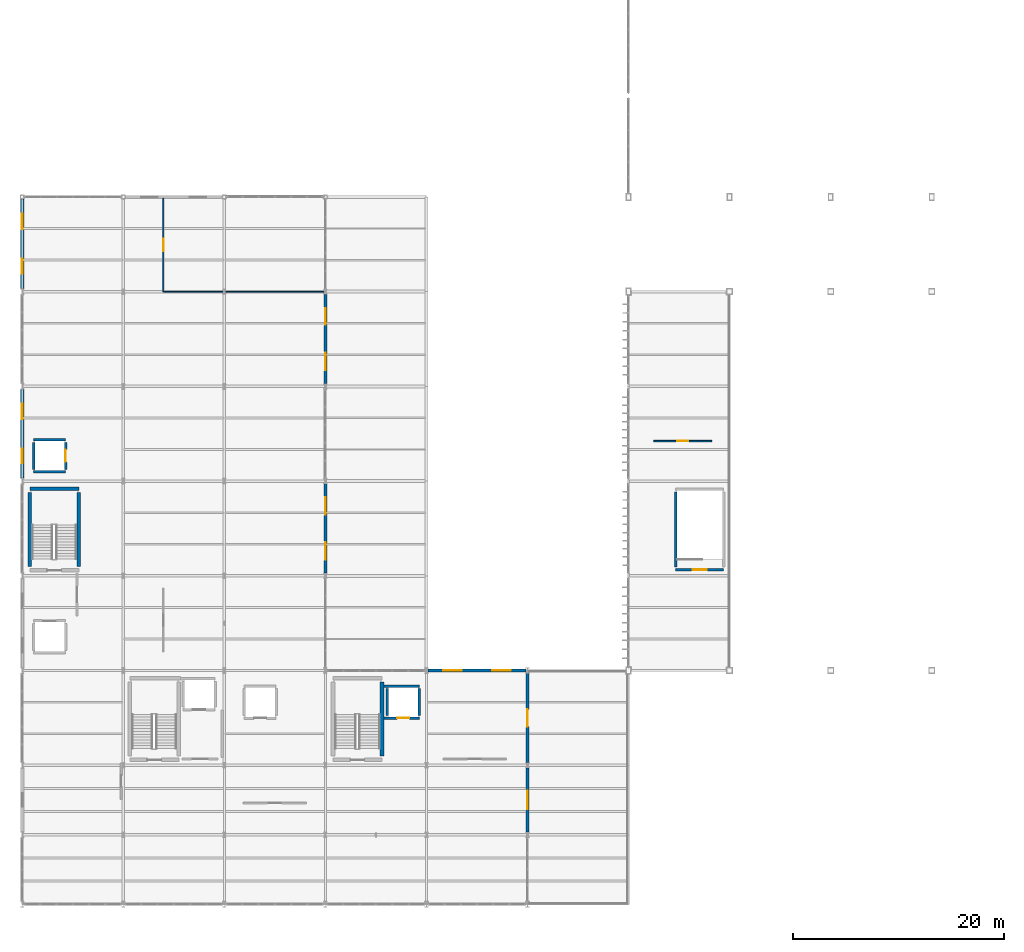
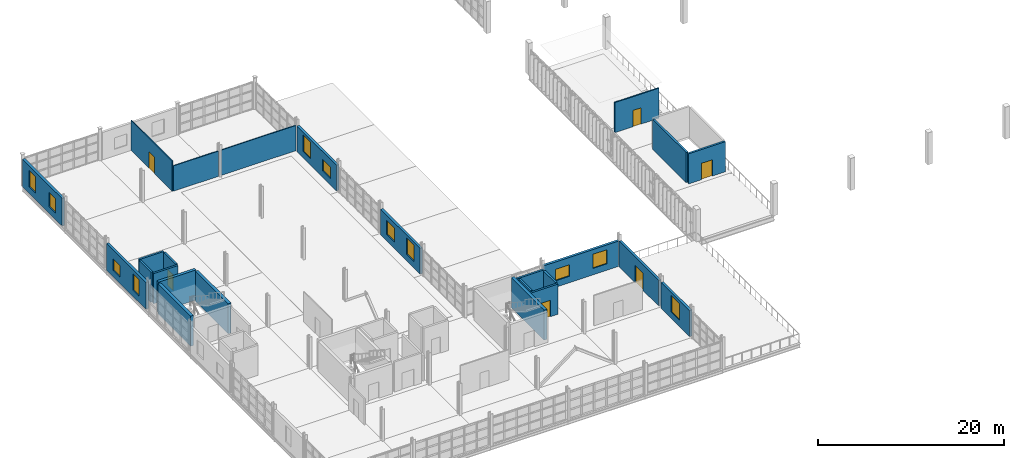
# One storey, part 69 of 82: 25 walls, 11 windows, 6 doors, 17 openings.
"""IFC4 building model written with IfcOpenShell, lengths in metres."""

from ifc_helpers import new_model, si_unit, direction, frame, frame_2d, origin, place, context, subcontext, project, spatial, rectangle, extrude, material, layer, layer_set, type_object, element, fill, save


model = new_model("IFC4")

# Units and contexts
model_context = context("Model", 3, precision=1e-05, world=origin(), true_north=direction((0.0, 1.0)))
body_context = subcontext(model_context, "Body", "Model", "MODEL_VIEW")
ifc_project = project(units=[si_unit("LENGTHUNIT", "METRE"), si_unit("AREAUNIT", "SQUARE_METRE"), si_unit("VOLUMEUNIT", "CUBIC_METRE"), si_unit("PLANEANGLEUNIT", "RADIAN"), si_unit("MASSUNIT", "GRAM", prefix="KILO")], contexts=[model_context])

# Site, building, storey
site_placement = place(None, origin())
site = spatial("IfcSite", under=ifc_project, at=site_placement, CompositionType="ELEMENT")
building_placement = place(site_placement, origin())
building = spatial("IfcBuilding", under=site, at=building_placement, Name="Zarnetskaya Central Station", CompositionType="ELEMENT")
storey_placement = place(building_placement, frame((0.0, 0.0, 10.199951171875)))
storey = spatial("IfcBuildingStorey", under=building, at=storey_placement, Name="L02", CompositionType="ELEMENT", Elevation=10.199951171875)

# Wall, opening, door
ifc_material_1 = material(Name="Gypsum acoustic partition")
ifc_layer_1 = layer(ifc_material_1, 0.159912109375, Name="Gypsum acoustic partition")
ifc_layer_set_1 = layer_set([ifc_layer_1], Name="Gypsum acoustic partition")
wall_type_1 = type_object("IfcWallType", Name="PART-ACOU-160", PredefinedType="PARTITIONING", material=ifc_layer_set_1)
wall_1_placement = place(storey_placement, frame((65.5, 44.0, 0.0), z_axis=(0.0, 0.0, 1.0), x_axis=(-1.0, 0.0, 0.0)))
wall_1 = element("IfcWall", 1, at=wall_1_placement, inside=storey, type_object=wall_type_1, Name="Interior partition IPRT-L02-0418", PredefinedType="PARTITIONING", context=body_context, shape_type="SweptSolid", body=[
    extrude(rectangle(XDim=5.5, YDim=0.159912109375, at=frame_2d((2.75, 0.0))), origin(), (0.0, 0.0, 1.0), 3.949951171875),
])
opening_1_placement = place(wall_1_placement, frame((2.239990234375, 0.0, 0.0)))
opening_1 = element("IfcOpeningElement", 2, at=opening_1_placement, cuts=wall_1, Name="Opening DR-18", PredefinedType="OPENING", context=body_context, shape_type="SweptSolid", body=[
    extrude(rectangle(XDim=1.02001953125, YDim=2.139892578125, at=frame_2d((0.510009765625, 1.06982421875))), frame((0.0, 0.08984375, 0.0), z_axis=(0.0, -1.0, 0.0), x_axis=(1.0, 0.0, 0.0)), (0.0, 0.0, 1.0), 0.179931640625),
])
ifc_material_2 = material(Name="Anodised aluminium", Category="aluminium")
door_type_1 = type_object("IfcDoorType", Name="DR-INT-21", OperationType="NOTDEFINED", PredefinedType="DOOR", material=ifc_material_2)
door_1_placement = place(opening_1_placement, origin())
door_1 = element("IfcDoor", 3, at=door_1_placement, inside=storey, type_object=door_type_1, Name="Long-Distance Family Waiting Salon door", OperationType="SINGLE_SWING_RIGHT", OverallHeight=2.139892578125, OverallWidth=1.02001953125, PredefinedType="DOOR", context=body_context, shape_type="SweptSolid", body=[
    extrude(rectangle(XDim=1.02001953125, YDim=2.139892578125, at=frame_2d((0.510009765625, 1.06982421875))), frame((0.0, 0.02490234375, 0.0), z_axis=(0.0, -1.0, 0.0), x_axis=(1.0, 0.0, 0.0)), (0.0, 0.0, 1.0), 0.050048828125),
])
fill(opening_1, door_1)

ifc_material_3 = material(Name="Gypsum moisture partition")
ifc_layer_2 = layer(ifc_material_3, 0.114990234375, Name="Gypsum moisture partition")
ifc_layer_set_2 = layer_set([ifc_layer_2], Name="Gypsum moisture partition")
wall_type_2 = type_object("IfcWallType", Name="PART-WC-115", PredefinedType="PARTITIONING", material=ifc_layer_set_2)
wall_2_placement = place(storey_placement, frame((13.39990234375, 58.199951171875, 0.0), z_axis=(0.0, 0.0, 1.0), x_axis=(0.0, 1.0, 0.0)))
wall_2 = element("IfcWall", 4, at=wall_2_placement, inside=storey, type_object=wall_type_2, Name="Interior partition IPRT-L02-0425", PredefinedType="PARTITIONING", context=body_context, shape_type="SweptSolid", body=[
    extrude(rectangle(XDim=8.85009765625, YDim=0.114990234375, at=frame_2d((4.425048828125, 0.0))), origin(), (0.0, 0.0, 1.0), 3.949951171875),
])
opening_2_placement = place(wall_2_placement, frame((3.824951171875, 0.0, 0.0)))
opening_2 = element("IfcOpeningElement", 5, at=opening_2_placement, cuts=wall_2, Name="Opening DR-17", PredefinedType="OPENING", context=body_context, shape_type="SweptSolid", body=[
    extrude(rectangle(XDim=1.199951171875, YDim=2.14990234375, at=frame_2d((0.60009765625, 1.074951171875))), frame((0.0, 0.0673828125, 0.0), z_axis=(0.0, -1.0, 0.0), x_axis=(1.0, 0.0, 0.0)), (0.0, 0.0, 1.0), 0.135009765625),
])
door_type_2 = type_object("IfcDoorType", Name="DR-INT-09", OperationType="NOTDEFINED", PredefinedType="DOOR", material=ifc_material_2)
door_2_placement = place(opening_2_placement, origin())
door_2 = element("IfcDoor", 6, at=door_2_placement, inside=storey, type_object=door_type_2, Name="Staff and Accessible WC Suite L02 door", OperationType="SINGLE_SWING_LEFT", OverallHeight=2.14990234375, OverallWidth=1.199951171875, PredefinedType="DOOR", context=body_context, shape_type="SweptSolid", body=[
    extrude(rectangle(XDim=1.199951171875, YDim=2.14990234375, at=frame_2d((0.60009765625, 1.074951171875))), frame((0.0, 0.02490234375, 0.0), z_axis=(0.0, -1.0, 0.0), x_axis=(1.0, 0.0, 0.0)), (0.0, 0.0, 1.0), 0.050048828125),
])
fill(opening_2, door_2)

# Walls
wall_3_placement = place(storey_placement, frame((19.050048828125, 58.199951171875, 0.0), z_axis=(0.0, 0.0, 1.0), x_axis=(-1.0, 0.0, 0.0)))
element("IfcWall", 7, at=wall_3_placement, inside=storey, type_object=wall_type_2, Name="Interior partition IPRT-L02-0426", PredefinedType="PARTITIONING", context=body_context, shape_type="SweptSolid", body=[
    extrude(rectangle(XDim=5.592529296875, YDim=0.114990234375, at=frame_2d((2.79638671875, 0.0))), origin(), (0.0, 0.0, 1.0), 3.320068359375),
])
wall_4_placement = place(storey_placement, frame((28.64990234375, 58.199951171875, 0.0), z_axis=(0.0, 0.0, 1.0), x_axis=(-1.0, 0.0, 0.0)))
element("IfcWall", 8, at=wall_4_placement, inside=storey, type_object=wall_type_2, Name="Interior partition IPRT-L02-0427", PredefinedType="PARTITIONING", context=body_context, shape_type="SweptSolid", body=[
    extrude(rectangle(XDim=9.2998046875, YDim=0.114990234375, at=frame_2d((4.64990234375, 0.0))), origin(), (0.0, 0.0, 1.0), 3.320068359375),
])
ifc_material_4 = material(Name="Concrete C35/45", Category="concrete")
ifc_layer_3 = layer(ifc_material_4, 0.35009765625, Name="Concrete C35/45", Category="concrete")
ifc_layer_set_3 = layer_set([ifc_layer_3], Name="Concrete C35/45")
wall_type_3 = type_object("IfcWallType", Name="WALL-CORE-350", PredefinedType="SHEAR", material=ifc_layer_set_3)
wall_5_placement = place(storey_placement, frame((0.72509765625, 39.47509765625, 0.0), z_axis=(0.0, 0.0, 1.0), x_axis=(1.0, 0.0, 0.0)))
element("IfcWall", 9, at=wall_5_placement, inside=storey, type_object=wall_type_3, Name="Core shear wall WSTR-L02-0230", PredefinedType="SHEAR", context=body_context, shape_type="SweptSolid", body=[
    extrude(rectangle(XDim=4.64990234375, YDim=0.35009765625, at=frame_2d((2.324951171875, 0.0))), origin(), (0.0, 0.0, 1.0), 3.949951171875),
])
for number, where, z_axis, x_axis, name in (
    (10, (0.72509765625, 32.074951171875, 0.0), (0.0, 0.0, 1.0), (0.0, 1.0, 0.0), "Core shear wall WSTR-L02-0231"),
    (11, (5.375, 39.125, 0.0), (0.0, 0.0, 1.0), (0.0, -1.0, 0.0), "Core shear wall WSTR-L02-0232"),
    (12, (34.175048828125, 21.125, 0.0), (0.0, 0.0, 1.0), (0.0, -1.0, 0.0), "Core shear wall WSTR-L02-0260"),
):
    element("IfcWall", number, at=place(storey_placement, frame(where, z_axis=z_axis, x_axis=x_axis)), inside=storey, type_object=wall_type_3, Name=name, PredefinedType="SHEAR", context=body_context, shape_type="SweptSolid", body=[
        extrude(rectangle(XDim=7.050048828125, YDim=0.35009765625, at=frame_2d((3.52490234375, 0.0))), origin(), (0.0, 0.0, 1.0), 3.949951171875),
    ])

# Wall, openings, windows
ifc_material_5 = material(Name="Precast concrete C40/50", Category="concrete")
ifc_layer_4 = layer(ifc_material_5, 0.300048828125, Name="Precast concrete C40/50", Category="concrete")
ifc_layer_set_4 = layer_set([ifc_layer_4], Name="Precast concrete C40/50")
wall_type_4 = type_object("IfcWallType", Name="WALL-EXT-300", PredefinedType="SOLIDWALL", material=ifc_layer_set_4)
wall_6_placement = place(storey_placement, frame((0.0, 40.47509765625, 0.0), z_axis=(0.0, 0.0, 1.0), x_axis=(0.0, 1.0, 0.0)))
wall_6 = element("IfcWall", 13, at=wall_6_placement, inside=storey, type_object=wall_type_4, Name="Exterior precast wall EW-L02-0-405-0-489", PredefinedType="SOLIDWALL", context=body_context, shape_type="SweptSolid", body=[
    extrude(rectangle(XDim=8.449951171875, YDim=0.300048828125, at=frame_2d((4.22509765625, 0.0))), origin(), (0.0, 0.0, 1.0), 3.52001953125),
])
opening_3_placement = place(wall_6_placement, frame((1.4375, 0.0, 0.85009765625)))
opening_3 = element("IfcOpeningElement", 14, at=opening_3_placement, cuts=wall_6, Name="Opening WN-30", PredefinedType="OPENING", context=body_context, shape_type="SweptSolid", body=[
    extrude(rectangle(XDim=1.35009765625, YDim=2.14990234375, at=frame_2d((0.675048828125, 1.074951171875))), frame((0.0, 0.16015625, 0.0), z_axis=(0.0, -1.0, 0.0), x_axis=(1.0, 0.0, 0.0)), (0.0, 0.0, 1.0), 0.320068359375),
])
opening_4_placement = place(wall_6_placement, frame((5.612548828125, 0.0, 0.85009765625)))
opening_4 = element("IfcOpeningElement", 15, at=opening_4_placement, cuts=wall_6, Name="Opening WN-44", PredefinedType="OPENING", context=body_context, shape_type="SweptSolid", body=[
    extrude(rectangle(XDim=1.449951171875, YDim=1.5, at=frame_2d((0.72509765625, 0.75))), frame((0.0, 0.16015625, 0.0), z_axis=(0.0, -1.0, 0.0), x_axis=(1.0, 0.0, 0.0)), (0.0, 0.0, 1.0), 0.320068359375),
])
ifc_material_6 = material(Name="Low-E insulated glass", Category="glass")
window_type_1 = type_object("IfcWindowType", Name="WIN-09", PartitioningType="SINGLE_PANEL", PredefinedType="WINDOW", material=ifc_material_6)
window_1_placement = place(opening_3_placement, origin())
window_1 = element("IfcWindow", 16, at=window_1_placement, inside=storey, type_object=window_type_1, Name="Facade window L02-0063", OverallHeight=2.14990234375, OverallWidth=1.35009765625, PartitioningType="SINGLE_PANEL", PredefinedType="WINDOW", context=body_context, shape_type="SweptSolid", body=[
    extrude(rectangle(XDim=1.35009765625, YDim=2.14990234375, at=frame_2d((0.675048828125, 1.074951171875))), frame((0.0, 0.030029296875, 0.0), z_axis=(0.0, -1.0, 0.0), x_axis=(1.0, 0.0, 0.0)), (0.0, 0.0, 1.0), 0.06005859375),
])
fill(opening_3, window_1)
window_type_2 = type_object("IfcWindowType", Name="WIN-10", PartitioningType="SINGLE_PANEL", PredefinedType="WINDOW", material=ifc_material_6)
window_2_placement = place(opening_4_placement, origin())
window_2 = element("IfcWindow", 17, at=window_2_placement, inside=storey, type_object=window_type_2, Name="Facade window L02-0064", OverallHeight=1.5, OverallWidth=1.449951171875, PartitioningType="SINGLE_PANEL", PredefinedType="WINDOW", context=body_context, shape_type="SweptSolid", body=[
    extrude(rectangle(XDim=1.449951171875, YDim=1.5, at=frame_2d((0.72509765625, 0.75))), frame((0.0, 0.030029296875, 0.0), z_axis=(0.0, -1.0, 0.0), x_axis=(1.0, 0.0, 0.0)), (0.0, 0.0, 1.0), 0.06005859375),
])
fill(opening_4, window_2)

wall_7_placement = place(storey_placement, frame((0.0, 58.47509765625, 0.0), z_axis=(0.0, 0.0, 1.0), x_axis=(0.0, 1.0, 0.0)))
wall_7 = element("IfcWall", 18, at=wall_7_placement, inside=storey, type_object=wall_type_4, Name="Exterior precast wall EW-L02-0-585-0-670", PredefinedType="SOLIDWALL", context=body_context, shape_type="SweptSolid", body=[
    extrude(rectangle(XDim=8.521728515625, YDim=0.300048828125, at=frame_2d((4.2607421875, 0.0))), origin(), (0.0, 0.0, 1.0), 3.610107421875),
])
opening_5_placement = place(wall_7_placement, frame((1.405517578125, 0.0, 0.85009765625)))
opening_5 = element("IfcOpeningElement", 19, at=opening_5_placement, cuts=wall_7, Name="Opening WN-53", PredefinedType="OPENING", context=body_context, shape_type="SweptSolid", body=[
    extrude(rectangle(XDim=1.449951171875, YDim=1.85009765625, at=frame_2d((0.72509765625, 0.925048828125))), frame((0.0, 0.16015625, 0.0), z_axis=(0.0, -1.0, 0.0), x_axis=(1.0, 0.0, 0.0)), (0.0, 0.0, 1.0), 0.320068359375),
])
opening_6_placement = place(wall_7_placement, frame((5.666259765625, 0.0, 0.85009765625)))
opening_6 = element("IfcOpeningElement", 20, at=opening_6_placement, cuts=wall_7, Name="Opening WN-49", PredefinedType="OPENING", context=body_context, shape_type="SweptSolid", body=[
    extrude(rectangle(XDim=1.449951171875, YDim=2.14990234375, at=frame_2d((0.72509765625, 1.074951171875))), frame((0.0, 0.16015625, 0.0), z_axis=(0.0, -1.0, 0.0), x_axis=(1.0, 0.0, 0.0)), (0.0, 0.0, 1.0), 0.320068359375),
])
window_type_3 = type_object("IfcWindowType", Name="WIN-11", PartitioningType="SINGLE_PANEL", PredefinedType="WINDOW", material=ifc_material_6)
window_3_placement = place(opening_5_placement, origin())
window_3 = element("IfcWindow", 21, at=window_3_placement, inside=storey, type_object=window_type_3, Name="Facade window L02-0065", OverallHeight=1.85009765625, OverallWidth=1.449951171875, PartitioningType="SINGLE_PANEL", PredefinedType="WINDOW", context=body_context, shape_type="SweptSolid", body=[
    extrude(rectangle(XDim=1.449951171875, YDim=1.85009765625, at=frame_2d((0.72509765625, 0.925048828125))), frame((0.0, 0.030029296875, 0.0), z_axis=(0.0, -1.0, 0.0), x_axis=(1.0, 0.0, 0.0)), (0.0, 0.0, 1.0), 0.06005859375),
])
fill(opening_5, window_3)
window_type_4 = type_object("IfcWindowType", Name="WIN-12", PartitioningType="SINGLE_PANEL", PredefinedType="WINDOW", material=ifc_material_6)
window_4_placement = place(opening_6_placement, origin())
window_4 = element("IfcWindow", 22, at=window_4_placement, inside=storey, type_object=window_type_4, Name="Facade window L02-0066", OverallHeight=2.14990234375, OverallWidth=1.449951171875, PartitioningType="SINGLE_PANEL", PredefinedType="WINDOW", context=body_context, shape_type="SweptSolid", body=[
    extrude(rectangle(XDim=1.449951171875, YDim=2.14990234375, at=frame_2d((0.72509765625, 1.074951171875))), frame((0.0, 0.030029296875, 0.0), z_axis=(0.0, -1.0, 0.0), x_axis=(1.0, 0.0, 0.0)), (0.0, 0.0, 1.0), 0.06005859375),
])
fill(opening_6, window_4)

wall_8_placement = place(storey_placement, frame((28.800048828125, 57.949951171875, 0.0), z_axis=(0.0, 0.0, 1.0), x_axis=(0.0, -1.0, 0.0)))
wall_8 = element("IfcWall", 23, at=wall_8_placement, inside=storey, type_object=wall_type_4, Name="Exterior precast wall EW-L02-288-580-288-494", PredefinedType="SOLIDWALL", context=body_context, shape_type="SweptSolid", body=[
    extrude(rectangle(XDim=8.5, YDim=0.300048828125, at=frame_2d((4.25, 0.0))), origin(), (0.0, 0.0, 1.0), 3.3701171875),
])
opening_7_placement = place(wall_8_placement, frame((1.35009765625, 0.0, 0.85009765625)))
opening_7 = element("IfcOpeningElement", 24, at=opening_7_placement, cuts=wall_8, Name="Opening WN-16", PredefinedType="OPENING", context=body_context, shape_type="SweptSolid", body=[
    extrude(rectangle(XDim=1.550048828125, YDim=2.14990234375, at=frame_2d((0.77490234375, 1.074951171875))), frame((0.0, 0.16015625, 0.0), z_axis=(0.0, -1.0, 0.0), x_axis=(1.0, 0.0, 0.0)), (0.0, 0.0, 1.0), 0.320068359375),
])
opening_8_placement = place(wall_8_placement, frame((5.550048828125, 0.0, 0.85009765625)))
opening_8 = element("IfcOpeningElement", 25, at=opening_8_placement, cuts=wall_8, Name="Opening WN-34", PredefinedType="OPENING", context=body_context, shape_type="SweptSolid", body=[
    extrude(rectangle(XDim=1.64990234375, YDim=1.5, at=frame_2d((0.824951171875, 0.75))), frame((0.0, 0.16015625, 0.0), z_axis=(0.0, -1.0, 0.0), x_axis=(1.0, 0.0, 0.0)), (0.0, 0.0, 1.0), 0.320068359375),
])
window_type_5 = type_object("IfcWindowType", Name="WIN-15", PartitioningType="SINGLE_PANEL", PredefinedType="WINDOW", material=ifc_material_6)
window_5_placement = place(opening_7_placement, origin())
window_5 = element("IfcWindow", 26, at=window_5_placement, inside=storey, type_object=window_type_5, Name="Facade window L02-0069", OverallHeight=2.14990234375, OverallWidth=1.550048828125, PartitioningType="SINGLE_PANEL", PredefinedType="WINDOW", context=body_context, shape_type="SweptSolid", body=[
    extrude(rectangle(XDim=1.550048828125, YDim=2.14990234375, at=frame_2d((0.77490234375, 1.074951171875))), frame((0.0, 0.030029296875, 0.0), z_axis=(0.0, -1.0, 0.0), x_axis=(1.0, 0.0, 0.0)), (0.0, 0.0, 1.0), 0.06005859375),
])
fill(opening_7, window_5)
window_type_6 = type_object("IfcWindowType", Name="WIN-16", PartitioningType="SINGLE_PANEL", PredefinedType="WINDOW", material=ifc_material_6)
window_6_placement = place(opening_8_placement, origin())
window_6 = element("IfcWindow", 27, at=window_6_placement, inside=storey, type_object=window_type_6, Name="Facade window L02-0070", OverallHeight=1.5, OverallWidth=1.64990234375, PartitioningType="SINGLE_PANEL", PredefinedType="WINDOW", context=body_context, shape_type="SweptSolid", body=[
    extrude(rectangle(XDim=1.64990234375, YDim=1.5, at=frame_2d((0.824951171875, 0.75))), frame((0.0, 0.030029296875, 0.0), z_axis=(0.0, -1.0, 0.0), x_axis=(1.0, 0.0, 0.0)), (0.0, 0.0, 1.0), 0.06005859375),
])
fill(opening_8, window_6)

wall_9_placement = place(storey_placement, frame((28.800048828125, 39.949951171875, 0.0), z_axis=(0.0, 0.0, 1.0), x_axis=(0.0, -1.0, 0.0)))
wall_9 = element("IfcWall", 28, at=wall_9_placement, inside=storey, type_object=wall_type_4, Name="Exterior precast wall EW-L02-288-400-288-314", PredefinedType="SOLIDWALL", context=body_context, shape_type="SweptSolid", body=[
    extrude(rectangle(XDim=8.5, YDim=0.300048828125, at=frame_2d((4.25, 0.0))), origin(), (0.0, 0.0, 1.0), 3.3701171875),
])
opening_9_placement = place(wall_9_placement, frame((1.300048828125, 0.0, 0.85009765625)))
opening_9 = element("IfcOpeningElement", 29, at=opening_9_placement, cuts=wall_9, Name="Opening WN-09", PredefinedType="OPENING", context=body_context, shape_type="SweptSolid", body=[
    extrude(rectangle(XDim=1.64990234375, YDim=1.85009765625, at=frame_2d((0.824951171875, 0.925048828125))), frame((0.0, 0.16015625, 0.0), z_axis=(0.0, -1.0, 0.0), x_axis=(1.0, 0.0, 0.0)), (0.0, 0.0, 1.0), 0.320068359375),
])
opening_10_placement = place(wall_9_placement, frame((5.550048828125, 0.0, 0.85009765625)))
opening_10 = element("IfcOpeningElement", 30, at=opening_10_placement, cuts=wall_9, Name="Opening WN-52", PredefinedType="OPENING", context=body_context, shape_type="SweptSolid", body=[
    extrude(rectangle(XDim=1.64990234375, YDim=2.14990234375, at=frame_2d((0.824951171875, 1.074951171875))), frame((0.0, 0.16015625, 0.0), z_axis=(0.0, -1.0, 0.0), x_axis=(1.0, 0.0, 0.0)), (0.0, 0.0, 1.0), 0.320068359375),
])
window_type_7 = type_object("IfcWindowType", Name="WIN-17", PartitioningType="SINGLE_PANEL", PredefinedType="WINDOW", material=ifc_material_6)
window_7_placement = place(opening_9_placement, origin())
window_7 = element("IfcWindow", 31, at=window_7_placement, inside=storey, type_object=window_type_7, Name="Facade window L02-0071", OverallHeight=1.85009765625, OverallWidth=1.64990234375, PartitioningType="SINGLE_PANEL", PredefinedType="WINDOW", context=body_context, shape_type="SweptSolid", body=[
    extrude(rectangle(XDim=1.64990234375, YDim=1.85009765625, at=frame_2d((0.824951171875, 0.925048828125))), frame((0.0, 0.030029296875, 0.0), z_axis=(0.0, -1.0, 0.0), x_axis=(1.0, 0.0, 0.0)), (0.0, 0.0, 1.0), 0.06005859375),
])
fill(opening_9, window_7)
window_type_8 = type_object("IfcWindowType", Name="WIN-18", PartitioningType="SINGLE_PANEL", PredefinedType="WINDOW", material=ifc_material_6)
window_8_placement = place(opening_10_placement, origin())
window_8 = element("IfcWindow", 32, at=window_8_placement, inside=storey, type_object=window_type_8, Name="Facade window L02-0072", OverallHeight=2.14990234375, OverallWidth=1.64990234375, PartitioningType="SINGLE_PANEL", PredefinedType="WINDOW", context=body_context, shape_type="SweptSolid", body=[
    extrude(rectangle(XDim=1.64990234375, YDim=2.14990234375, at=frame_2d((0.824951171875, 1.074951171875))), frame((0.0, 0.030029296875, 0.0), z_axis=(0.0, -1.0, 0.0), x_axis=(1.0, 0.0, 0.0)), (0.0, 0.0, 1.0), 0.06005859375),
])
fill(opening_10, window_8)

wall_10_placement = place(storey_placement, frame((38.550048828125, 22.199951171875, 0.0), z_axis=(0.0, 0.0, 1.0), x_axis=(1.0, 0.0, 0.0)))
wall_10 = element("IfcWall", 33, at=wall_10_placement, inside=storey, type_object=wall_type_4, Name="Exterior precast wall EW-L02-386-222-478-222", PredefinedType="SOLIDWALL", context=body_context, shape_type="SweptSolid", body=[
    extrude(rectangle(XDim=9.300048828125, YDim=0.300048828125, at=frame_2d((4.64990234375, 0.0))), origin(), (0.0, 0.0, 1.0), 3.320068359375),
])
opening_11_placement = place(wall_10_placement, frame((1.449951171875, 0.0, 0.85009765625)))
opening_11 = element("IfcOpeningElement", 34, at=opening_11_placement, cuts=wall_10, Name="Opening WN-10", PredefinedType="OPENING", context=body_context, shape_type="SweptSolid", body=[
    extrude(rectangle(XDim=1.75, YDim=1.5, at=frame_2d((0.875, 0.75))), frame((0.0, 0.16015625, 0.0), z_axis=(0.0, -1.0, 0.0), x_axis=(1.0, 0.0, 0.0)), (0.0, 0.0, 1.0), 0.320068359375),
])
opening_12_placement = place(wall_10_placement, frame((6.10009765625, 0.0, 0.85009765625)))
opening_12 = element("IfcOpeningElement", 35, at=opening_12_placement, cuts=wall_10, Name="Opening WN-06", PredefinedType="OPENING", context=body_context, shape_type="SweptSolid", body=[
    extrude(rectangle(XDim=1.75, YDim=1.85009765625, at=frame_2d((0.875, 0.925048828125))), frame((0.0, 0.16015625, 0.0), z_axis=(0.0, -1.0, 0.0), x_axis=(1.0, 0.0, 0.0)), (0.0, 0.0, 1.0), 0.320068359375),
])
window_type_9 = type_object("IfcWindowType", Name="WIN-19", PartitioningType="SINGLE_PANEL", PredefinedType="WINDOW", material=ifc_material_6)
window_9_placement = place(opening_11_placement, origin())
window_9 = element("IfcWindow", 36, at=window_9_placement, inside=storey, type_object=window_type_9, Name="Facade window L02-0073", OverallHeight=1.5, OverallWidth=1.75, PartitioningType="SINGLE_PANEL", PredefinedType="WINDOW", context=body_context, shape_type="SweptSolid", body=[
    extrude(rectangle(XDim=1.75, YDim=1.5, at=frame_2d((0.875, 0.75))), frame((0.0, 0.030029296875, 0.0), z_axis=(0.0, -1.0, 0.0), x_axis=(1.0, 0.0, 0.0)), (0.0, 0.0, 1.0), 0.06005859375),
])
fill(opening_11, window_9)
window_type_10 = type_object("IfcWindowType", Name="WIN-20", PartitioningType="SINGLE_PANEL", PredefinedType="WINDOW", material=ifc_material_6)
window_10_placement = place(opening_12_placement, origin())
window_10 = element("IfcWindow", 37, at=window_10_placement, inside=storey, type_object=window_type_10, Name="Facade window L02-0074", OverallHeight=1.85009765625, OverallWidth=1.75, PartitioningType="SINGLE_PANEL", PredefinedType="WINDOW", context=body_context, shape_type="SweptSolid", body=[
    extrude(rectangle(XDim=1.75, YDim=1.85009765625, at=frame_2d((0.875, 0.925048828125))), frame((0.0, 0.030029296875, 0.0), z_axis=(0.0, -1.0, 0.0), x_axis=(1.0, 0.0, 0.0)), (0.0, 0.0, 1.0), 0.06005859375),
])
fill(opening_12, window_10)

# Wall, opening, door
wall_11_placement = place(storey_placement, frame((48.0, 21.949951171875, 0.0), z_axis=(0.0, 0.0, 1.0), x_axis=(0.0, -1.0, 0.0)))
wall_11 = element("IfcWall", 38, at=wall_11_placement, inside=storey, type_object=wall_type_4, Name="Exterior precast wall EW-L02-480-220-480-134", PredefinedType="SOLIDWALL", context=body_context, shape_type="SweptSolid", body=[
    extrude(rectangle(XDim=8.5, YDim=0.300048828125, at=frame_2d((4.25, 0.0))), origin(), (0.0, 0.0, 1.0), 3.3701171875),
])
opening_13_placement = place(wall_11_placement, frame((3.425048828125, 0.0, 0.0)))
opening_13 = element("IfcOpeningElement", 39, at=opening_13_placement, cuts=wall_11, Name="Opening ED-04", PredefinedType="OPENING", context=body_context, shape_type="SweptSolid", body=[
    extrude(rectangle(XDim=1.64990234375, YDim=2.25, at=frame_2d((0.824951171875, 1.125))), frame((0.0, 0.16015625, 0.0), z_axis=(0.0, -1.0, 0.0), x_axis=(1.0, 0.0, 0.0)), (0.0, 0.0, 1.0), 0.320068359375),
])
door_type_3 = type_object("IfcDoorType", Name="DR-TER-165x225", OperationType="NOTDEFINED", PredefinedType="DOOR", material=ifc_material_2)
door_3_placement = place(opening_13_placement, origin())
door_3 = element("IfcDoor", 40, at=door_3_placement, inside=storey, type_object=door_type_3, Name="Outdoor terrace access door L02", OperationType="SINGLE_SWING_LEFT", OverallHeight=2.25, OverallWidth=1.64990234375, PredefinedType="DOOR", context=body_context, shape_type="SweptSolid", body=[
    extrude(rectangle(XDim=1.64990234375, YDim=2.25, at=frame_2d((0.824951171875, 1.125))), frame((0.0, 0.02490234375, 0.0), z_axis=(0.0, -1.0, 0.0), x_axis=(1.0, 0.0, 0.0)), (0.0, 0.0, 1.0), 0.050048828125),
])
fill(opening_13, door_3)

# Wall, opening, window
wall_12_placement = place(storey_placement, frame((48.0, 12.949951171875, 0.0), z_axis=(0.0, 0.0, 1.0), x_axis=(0.0, -1.0, 0.0)))
wall_12 = element("IfcWall", 41, at=wall_12_placement, inside=storey, type_object=wall_type_4, Name="Exterior precast wall EW-L02-480-130-480-68", PredefinedType="SOLIDWALL", context=body_context, shape_type="SweptSolid", body=[
    extrude(rectangle(XDim=6.099853515625, YDim=0.300048828125, at=frame_2d((3.0498046875, 0.0))), origin(), (0.0, 0.0, 1.0), 3.420166015625),
])
opening_14_placement = place(wall_12_placement, frame((2.175048828125, 0.0, 0.85009765625)))
opening_14 = element("IfcOpeningElement", 42, at=opening_14_placement, cuts=wall_12, Name="Opening WN-01", PredefinedType="OPENING", context=body_context, shape_type="SweptSolid", body=[
    extrude(rectangle(XDim=1.75, YDim=2.14990234375, at=frame_2d((0.875, 1.074951171875))), frame((0.0, 0.16015625, 0.0), z_axis=(0.0, -1.0, 0.0), x_axis=(1.0, 0.0, 0.0)), (0.0, 0.0, 1.0), 0.320068359375),
])
window_type_11 = type_object("IfcWindowType", Name="WIN-21", PartitioningType="SINGLE_PANEL", PredefinedType="WINDOW", material=ifc_material_6)
window_11_placement = place(opening_14_placement, origin())
window_11 = element("IfcWindow", 43, at=window_11_placement, inside=storey, type_object=window_type_11, Name="Facade window L02-0075", OverallHeight=2.14990234375, OverallWidth=1.75, PartitioningType="SINGLE_PANEL", PredefinedType="WINDOW", context=body_context, shape_type="SweptSolid", body=[
    extrude(rectangle(XDim=1.75, YDim=2.14990234375, at=frame_2d((0.875, 1.074951171875))), frame((0.0, 0.030029296875, 0.0), z_axis=(0.0, -1.0, 0.0), x_axis=(1.0, 0.0, 0.0)), (0.0, 0.0, 1.0), 0.06005859375),
])
fill(opening_14, window_11)

# Walls
ifc_layer_5 = layer(ifc_material_4, 0.239990234375, Name="Concrete C35/45", Category="concrete")
ifc_layer_set_5 = layer_set([ifc_layer_5], Name="Concrete C35/45")
wall_type_5 = type_object("IfcWallType", Name="WALL-SHFT-240", PredefinedType="SHEAR", material=ifc_layer_set_5)
for number, where, z_axis, x_axis, name in (
    (44, (4.1201171875, 41.080078125, 0.0), (0.0, 0.0, 1.0), (-1.0, 0.0, 0.0), "Core shear wall WSHF-L02-0097"),
    (45, (1.080078125, 44.1201171875, 0.0), (0.0, 0.0, 1.0), (1.0, 0.0, 0.0), "Core shear wall WSHF-L02-0098"),
):
    element("IfcWall", number, at=place(storey_placement, frame(where, z_axis=z_axis, x_axis=x_axis)), inside=storey, type_object=wall_type_5, Name=name, PredefinedType="SHEAR", context=body_context, shape_type="SweptSolid", body=[
        extrude(rectangle(XDim=3.0400390625, YDim=0.239990234375, at=frame_2d((1.52001953125, 0.0))), origin(), (0.0, 0.0, 1.0), 3.949951171875),
    ])
wall_13_placement = place(storey_placement, frame((1.080078125, 41.320068359375, 0.0), z_axis=(0.0, 0.0, 1.0), x_axis=(0.0, 1.0, 0.0)))
element("IfcWall", 46, at=wall_13_placement, inside=storey, type_object=wall_type_5, Name="Core shear wall WSHF-L02-0099", PredefinedType="SHEAR", context=body_context, shape_type="SweptSolid", body=[
    extrude(rectangle(XDim=2.559814453125, YDim=0.239990234375, at=frame_2d((1.27978515625, 0.0))), origin(), (0.0, 0.0, 1.0), 3.949951171875),
])

# Wall, opening, door
wall_14_placement = place(storey_placement, frame((4.1201171875, 43.8798828125, 0.0), z_axis=(0.0, 0.0, 1.0), x_axis=(0.0, -1.0, 0.0)))
wall_14 = element("IfcWall", 47, at=wall_14_placement, inside=storey, type_object=wall_type_5, Name="Core shear wall WSHF-L02-0100", PredefinedType="SHEAR", context=body_context, shape_type="SweptSolid", body=[
    extrude(rectangle(XDim=2.559814453125, YDim=0.239990234375, at=frame_2d((1.27978515625, 0.0))), origin(), (0.0, 0.0, 1.0), 3.949951171875),
])
opening_15_placement = place(wall_14_placement, frame((0.699951171875, 0.0, 0.0)))
opening_15 = element("IfcOpeningElement", 48, at=opening_15_placement, cuts=wall_14, Name="Opening DR-24", PredefinedType="OPENING", context=body_context, shape_type="SweptSolid", body=[
    extrude(rectangle(XDim=1.159912109375, YDim=2.14990234375, at=frame_2d((0.580078125, 1.074951171875))), frame((0.0, 0.1298828125, 0.0), z_axis=(0.0, -1.0, 0.0), x_axis=(1.0, 0.0, 0.0)), (0.0, 0.0, 1.0), 0.260009765625),
])
door_type_4 = type_object("IfcDoorType", Name="DR-LIFT-PAX", OperationType="NOTDEFINED", PredefinedType="DOOR", material=ifc_material_2)
door_4_placement = place(opening_15_placement, origin())
door_4 = element("IfcDoor", 49, at=door_4_placement, inside=storey, type_object=door_type_4, Name="Lift landing sliding door LP-02 L02", OperationType="DOUBLE_DOOR_SLIDING", OverallHeight=2.14990234375, OverallWidth=1.159912109375, PredefinedType="DOOR", context=body_context, shape_type="SweptSolid", body=[
    extrude(rectangle(XDim=1.159912109375, YDim=2.14990234375, at=frame_2d((0.580078125, 1.074951171875))), frame((0.0, 0.02490234375, 0.0), z_axis=(0.0, -1.0, 0.0), x_axis=(1.0, 0.0, 0.0)), (0.0, 0.0, 1.0), 0.050048828125),
])
fill(opening_15, door_4)

wall_15_placement = place(storey_placement, frame((37.719970703125, 17.679931640625, 0.0), z_axis=(0.0, 0.0, 1.0), x_axis=(-1.0, 0.0, 0.0)))
wall_15 = element("IfcWall", 50, at=wall_15_placement, inside=storey, type_object=wall_type_5, Name="Core shear wall WSHF-L02-0125", PredefinedType="SHEAR", context=body_context, shape_type="SweptSolid", body=[
    extrude(rectangle(XDim=3.369873046875, YDim=0.239990234375, at=frame_2d((1.68505859375, 0.0))), origin(), (0.0, 0.0, 1.0), 3.949951171875),
])
opening_16_placement = place(wall_15_placement, frame((0.93994140625, 0.0, 0.0)))
opening_16 = element("IfcOpeningElement", 51, at=opening_16_placement, cuts=wall_15, Name="Opening DR-24", PredefinedType="OPENING", context=body_context, shape_type="SweptSolid", body=[
    extrude(rectangle(XDim=1.159912109375, YDim=2.14990234375, at=frame_2d((0.580078125, 1.074951171875))), frame((0.0, 0.1298828125, 0.0), z_axis=(0.0, -1.0, 0.0), x_axis=(1.0, 0.0, 0.0)), (0.0, 0.0, 1.0), 0.260009765625),
])
door_5_placement = place(opening_16_placement, origin())
door_5 = element("IfcDoor", 52, at=door_5_placement, inside=storey, type_object=door_type_4, Name="Lift landing sliding door LP-03 L02", OperationType="DOUBLE_DOOR_SLIDING", OverallHeight=2.14990234375, OverallWidth=1.159912109375, PredefinedType="DOOR", context=body_context, shape_type="SweptSolid", body=[
    extrude(rectangle(XDim=1.159912109375, YDim=2.14990234375, at=frame_2d((0.580078125, 1.074951171875))), frame((0.0, 0.02490234375, 0.0), z_axis=(0.0, -1.0, 0.0), x_axis=(1.0, 0.0, 0.0)), (0.0, 0.0, 1.0), 0.050048828125),
])
fill(opening_16, door_5)

# Walls
wall_16_placement = place(storey_placement, frame((34.35009765625, 20.719970703125, 0.0), z_axis=(0.0, 0.0, 1.0), x_axis=(1.0, 0.0, 0.0)))
element("IfcWall", 53, at=wall_16_placement, inside=storey, type_object=wall_type_5, Name="Core shear wall WSHF-L02-0126", PredefinedType="SHEAR", context=body_context, shape_type="SweptSolid", body=[
    extrude(rectangle(XDim=3.369873046875, YDim=0.239990234375, at=frame_2d((1.68505859375, 0.0))), origin(), (0.0, 0.0, 1.0), 3.949951171875),
])
for number, where, z_axis, x_axis, name in (
    (54, (34.679931640625, 17.919921875, 0.0), (0.0, 0.0, 1.0), (0.0, 1.0, 0.0), "Core shear wall WSHF-L02-0127"),
    (55, (37.719970703125, 20.47998046875, 0.0), (0.0, 0.0, 1.0), (0.0, -1.0, 0.0), "Core shear wall WSHF-L02-0128"),
):
    element("IfcWall", number, at=place(storey_placement, frame(where, z_axis=z_axis, x_axis=x_axis)), inside=storey, type_object=wall_type_5, Name=name, PredefinedType="SHEAR", context=body_context, shape_type="SweptSolid", body=[
        extrude(rectangle(XDim=2.56005859375, YDim=0.239990234375, at=frame_2d((1.280029296875, 0.0))), origin(), (0.0, 0.0, 1.0), 3.949951171875),
    ])

# Wall, opening, door
wall_17_placement = place(storey_placement, frame((66.6201171875, 31.780029296875, 0.0), z_axis=(0.0, 0.0, 1.0), x_axis=(-1.0, 0.0, 0.0)))
wall_17 = element("IfcWall", 56, at=wall_17_placement, inside=storey, type_object=wall_type_5, Name="Core shear wall WSTR-L02-0281", PredefinedType="SHEAR", context=body_context, shape_type="SweptSolid", body=[
    extrude(rectangle(XDim=4.5400390625, YDim=0.239990234375, at=frame_2d((2.27001953125, 0.0))), origin(), (0.0, 0.0, 1.0), 3.949951171875),
])
opening_17_placement = place(wall_17_placement, frame((1.610107421875, 0.0, 0.0)))
opening_17 = element("IfcOpeningElement", 57, at=opening_17_placement, cuts=wall_17, Name="Opening DR-FD60", PredefinedType="OPENING", context=body_context, shape_type="SweptSolid", body=[
    extrude(rectangle(XDim=1.320068359375, YDim=2.14990234375, at=frame_2d((0.66015625, 1.074951171875))), frame((0.0, 0.1298828125, 0.0), z_axis=(0.0, -1.0, 0.0), x_axis=(1.0, 0.0, 0.0)), (0.0, 0.0, 1.0), 0.260009765625),
])
door_type_5 = type_object("IfcDoorType", Name="DR-FIRE-STAIR", OperationType="NOTDEFINED", PredefinedType="DOOR", material=ifc_material_2)
door_6_placement = place(opening_17_placement, origin())
door_6 = element("IfcDoor", 58, at=door_6_placement, inside=storey, type_object=door_type_5, Name="Protected exit stair door ST-H1 L02", OperationType="SINGLE_SWING_LEFT", OverallHeight=2.14990234375, OverallWidth=1.320068359375, PredefinedType="DOOR", context=body_context, shape_type="SweptSolid", body=[
    extrude(rectangle(XDim=1.320068359375, YDim=2.14990234375, at=frame_2d((0.66015625, 1.074951171875))), frame((0.0, 0.02490234375, 0.0), z_axis=(0.0, -1.0, 0.0), x_axis=(1.0, 0.0, 0.0)), (0.0, 0.0, 1.0), 0.050048828125),
])
fill(opening_17, door_6)

# Wall
wall_18_placement = place(storey_placement, frame((62.080078125, 32.02001953125, 0.0), z_axis=(0.0, 0.0, 1.0), x_axis=(0.0, 1.0, 0.0)))
element("IfcWall", 59, at=wall_18_placement, inside=storey, type_object=wall_type_5, Name="Core shear wall WSTR-L02-0283", PredefinedType="SHEAR", context=body_context, shape_type="SweptSolid", body=[
    extrude(rectangle(XDim=7.159912109375, YDim=0.239990234375, at=frame_2d((3.580078125, 0.0))), origin(), (0.0, 0.0, 1.0), 3.949951171875),
])

save(model, "model.ifc")
